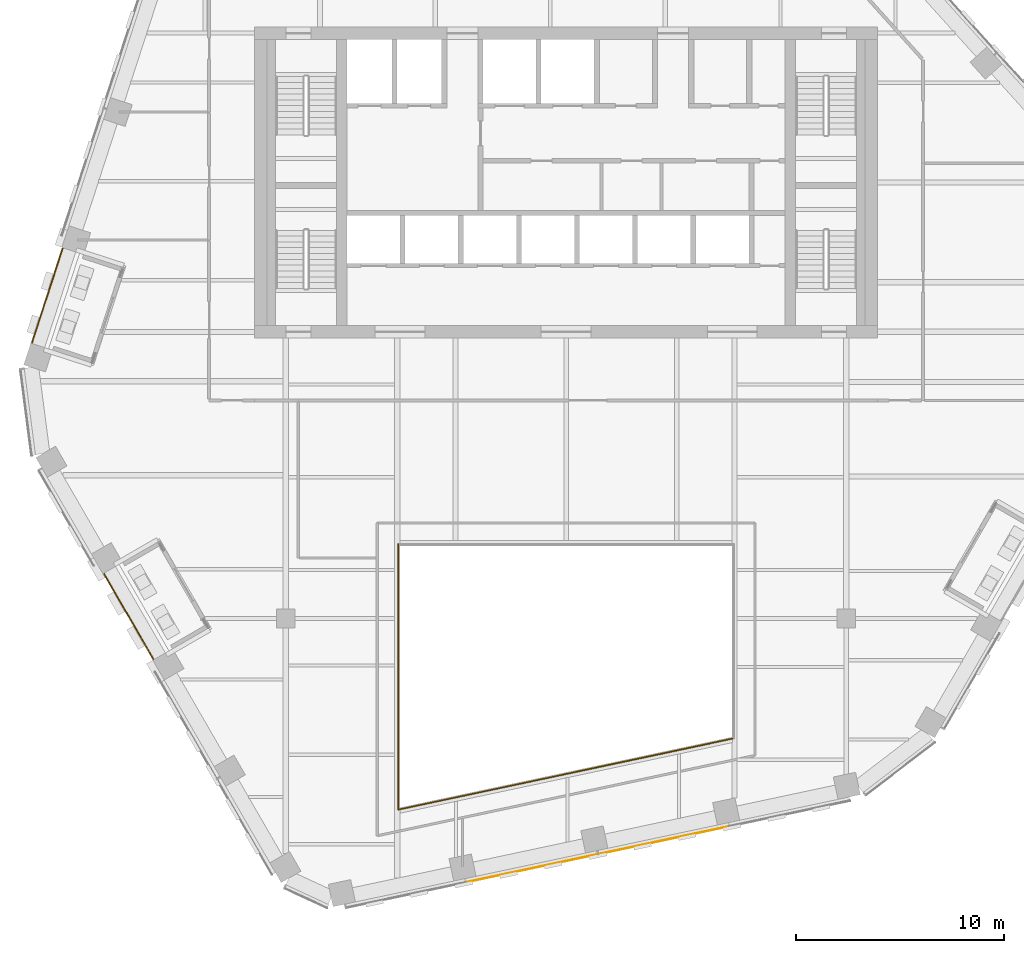
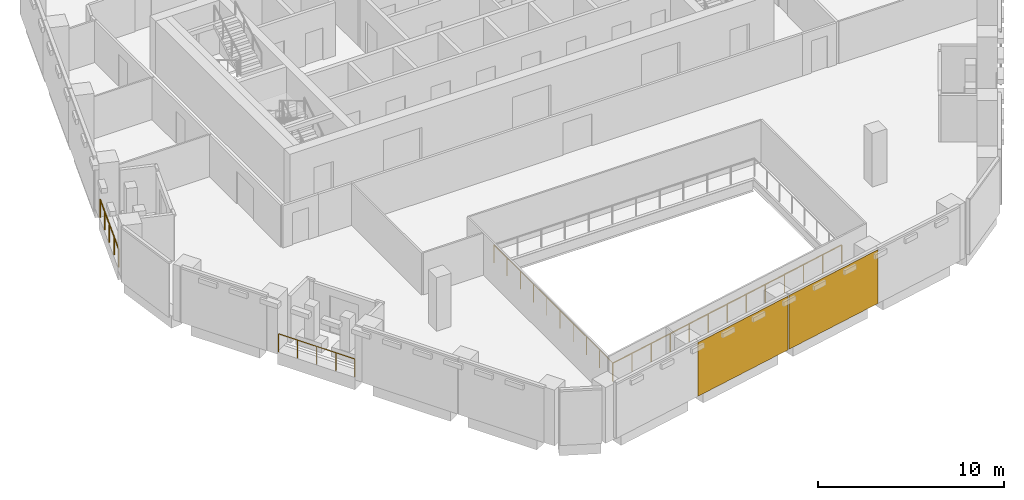
# One storey, part 19 of 24: 4 railings, 2 coverings, 1 element without a shape of its own.
"""IFC4 building model written with IfcOpenShell, lengths in metres."""

from ifc_helpers import new_model, si_unit, direction, frame, origin, origin_2d, place, context, subcontext, project, spatial, rectangle, circle, extrude, material, layer, layer_set, type_object, element, aggregate, save


model = new_model("IFC4")

# Units and contexts
model_context = context("Model", 3, precision=1e-05, world=origin(), true_north=direction((0.0, 1.0)))
body_context = subcontext(model_context, "Body", "Model", "MODEL_VIEW")
ifc_project = project(units=[si_unit("LENGTHUNIT", "METRE"), si_unit("AREAUNIT", "SQUARE_METRE"), si_unit("VOLUMEUNIT", "CUBIC_METRE"), si_unit("PLANEANGLEUNIT", "RADIAN"), si_unit("MASSUNIT", "GRAM", prefix="KILO")], contexts=[model_context])

# Site, building, storey
site_placement = place(None, origin())
site = spatial("IfcSite", under=ifc_project, at=site_placement, CompositionType="ELEMENT")
building_placement = place(site_placement, origin())
building = spatial("IfcBuilding", under=site, at=building_placement, Name="Isthmus Gate Tower", CompositionType="ELEMENT")
storey_placement = place(building_placement, frame((0.0, 0.0, 234.550048828125)))
storey = spatial("IfcBuildingStorey", under=building, at=storey_placement, Name="L59", CompositionType="ELEMENT", Elevation=234.550048828125)

# Railings
ifc_material_1 = material(Name="Laminated toughened glass balustrade with steel rail", Category="steel")
railing_type_1 = type_object("IfcRailingType", Name="ATRIUM GUARD GLASS BALUSTRADE 1200", PredefinedType="GUARDRAIL", material=ifc_material_1)
railing_1_placement = place(storey_placement, frame((-8.080078125, -22.7099609375, 0.0)))
element("IfcRailing", 1, at=railing_1_placement, inside=storey, type_object=railing_type_1, Name="L59 atrium guard", PredefinedType="GUARDRAIL", context=body_context, shape_type="SweptSolid", body=[
    extrude(circle(Radius=0.02490234375, at=origin_2d()), frame((0.0, 0.0, 1.1748046875), z_axis=(0.0, 1.0, 0.0), x_axis=(-1.0, 0.0, 0.0)), (0.0, 0.0, 1.0), 12.7900390625),
    extrude(circle(Radius=0.02490234375, at=origin_2d()), origin(), (0.0, 0.0, 1.0), 1.14990234375),
    extrude(circle(Radius=0.02490234375, at=origin_2d()), frame((0.0, 1.421142578125, 0.0)), (0.0, 0.0, 1.0), 1.14990234375),
    extrude(circle(Radius=0.02490234375, at=origin_2d()), frame((0.0, 2.84228515625, 0.0)), (0.0, 0.0, 1.0), 1.14990234375),
    extrude(circle(Radius=0.02490234375, at=origin_2d()), frame((0.0, 4.263427734375, 0.0)), (0.0, 0.0, 1.0), 1.14990234375),
    extrude(circle(Radius=0.02490234375, at=origin_2d()), frame((0.0, 5.6845703125, 0.0)), (0.0, 0.0, 1.0), 1.14990234375),
    extrude(circle(Radius=0.02490234375, at=origin_2d()), frame((0.0, 7.10546875, 0.0)), (0.0, 0.0, 1.0), 1.14990234375),
    extrude(circle(Radius=0.02490234375, at=origin_2d()), frame((0.0, 8.526611328125, 0.0)), (0.0, 0.0, 1.0), 1.14990234375),
    extrude(circle(Radius=0.02490234375, at=origin_2d()), frame((0.0, 9.94775390625, 0.0)), (0.0, 0.0, 1.0), 1.14990234375),
    extrude(circle(Radius=0.02490234375, at=origin_2d()), frame((0.0, 11.368896484375, 0.0)), (0.0, 0.0, 1.0), 1.14990234375),
    extrude(circle(Radius=0.02490234375, at=origin_2d()), frame((0.0, 12.7900390625, 0.0)), (0.0, 0.0, 1.0), 1.14990234375),
])
railing_2_placement = place(storey_placement, frame((8.080078125, -19.27490234375, 0.0)))
element("IfcRailing", 2, at=railing_2_placement, inside=storey, type_object=railing_type_1, Name="L59 atrium guard", PredefinedType="GUARDRAIL", context=body_context, shape_type="SweptSolid", body=[
    extrude(circle(Radius=0.02490234375, at=origin_2d()), frame((0.0, 0.0, 1.1748046875), z_axis=(-0.978146230105, -0.207918139013, 0.0), x_axis=(0.207918139013, -0.978146230105, 0.0)), (0.0, 0.0, 1.0), 16.521240234375),
    extrude(circle(Radius=0.02490234375, at=origin_2d()), origin(), (0.0, 0.0, 1.0), 1.14990234375),
    extrude(circle(Radius=0.02490234375, at=origin_2d()), frame((-1.3466796875, -0.2861328125, 0.0)), (0.0, 0.0, 1.0), 1.14990234375),
    extrude(circle(Radius=0.02490234375, at=origin_2d()), frame((-2.693359375, -0.572509765625, 0.0)), (0.0, 0.0, 1.0), 1.14990234375),
    extrude(circle(Radius=0.02490234375, at=origin_2d()), frame((-4.0400390625, -0.85888671875, 0.0)), (0.0, 0.0, 1.0), 1.14990234375),
    extrude(circle(Radius=0.02490234375, at=origin_2d()), frame((-5.38671875, -1.14501953125, 0.0)), (0.0, 0.0, 1.0), 1.14990234375),
    extrude(circle(Radius=0.02490234375, at=origin_2d()), frame((-6.7333984375, -1.43115234375, 0.0)), (0.0, 0.0, 1.0), 1.14990234375),
    extrude(circle(Radius=0.02490234375, at=origin_2d()), frame((-8.080078125, -1.717529296875, 0.0)), (0.0, 0.0, 1.0), 1.14990234375),
    extrude(circle(Radius=0.02490234375, at=origin_2d()), frame((-9.4267578125, -2.00390625, 0.0)), (0.0, 0.0, 1.0), 1.14990234375),
    extrude(circle(Radius=0.02490234375, at=origin_2d()), frame((-10.7734375, -2.2900390625, 0.0)), (0.0, 0.0, 1.0), 1.14990234375),
    extrude(circle(Radius=0.02490234375, at=origin_2d()), frame((-12.1201171875, -2.576171875, 0.0)), (0.0, 0.0, 1.0), 1.14990234375),
    extrude(circle(Radius=0.02490234375, at=origin_2d()), frame((-13.466796875, -2.862548828125, 0.0)), (0.0, 0.0, 1.0), 1.14990234375),
    extrude(circle(Radius=0.02490234375, at=origin_2d()), frame((-14.8134765625, -3.14892578125, 0.0)), (0.0, 0.0, 1.0), 1.14990234375),
    extrude(circle(Radius=0.02490234375, at=origin_2d()), frame((-16.16015625, -3.43505859375, 0.0)), (0.0, 0.0, 1.0), 1.14990234375),
])

# Curtain wall, coverings
ifc_material_2 = material(Name="Aluminium, pale champagne anodised", Category="aluminium")
ifc_layer_1 = layer(ifc_material_2, 0.199951171875)
ifc_layer_set_1 = layer_set([ifc_layer_1], Name="CW-1 UNITISED CURTAIN WALL 200 DEEP")
curtain_wall_type = type_object("IfcCurtainWallType", Name="CW-1 UNITISED CURTAIN WALL 200 DEEP", PredefinedType="NOTDEFINED", material=ifc_layer_set_1)
curtain_wall_placement = place(storey_placement, origin())
curtain_wall = element("IfcCurtainWall", 3, at=curtain_wall_placement, inside=storey, type_object=curtain_wall_type, Name="CW-1 S L59", PredefinedType="NOTDEFINED")
ifc_material_3 = material(Name="Aluminium composite panel, pale champagne anodised", Category="aluminium")
ifc_layer_2 = layer(ifc_material_3, 0.031982421875)
ifc_layer_set_2 = layer_set([ifc_layer_2], Name="CW-1 PALE METAL PANEL 32")
covering_type = type_object("IfcCoveringType", Name="CW-1 PALE METAL PANEL 32", PredefinedType="CLADDING", material=ifc_layer_set_2)
covering_1_placement = place(storey_placement, frame((-1.66259765625, -25.54150390625, 0.0), z_axis=(0.0, 0.0, 1.0), x_axis=(0.978147600734, 0.207911690818, 0.0)))
covering_1 = element("IfcCovering", 4, at=covering_1_placement, type_object=covering_type, Name="CW-1 pale metal panel", PredefinedType="CLADDING", context=body_context, shape_type="SweptSolid", body=[
    extrude(rectangle(XDim=6.491943359375, YDim=0.031982421875, at=origin_2d()), origin(), (0.0, 0.0, 1.0), 3.52001953125),
])
covering_2_placement = place(storey_placement, frame((4.716796875, -24.185546875, 0.0), z_axis=(0.0, 0.0, 1.0), x_axis=(0.978147600734, 0.207911690818, 0.0)))
covering_2 = element("IfcCovering", 5, at=covering_2_placement, type_object=covering_type, Name="CW-1 pale metal panel", PredefinedType="CLADDING", context=body_context, shape_type="SweptSolid", body=[
    extrude(rectangle(XDim=6.431884765625, YDim=0.031982421875, at=origin_2d()), origin(), (0.0, 0.0, 1.0), 3.52001953125),
])
aggregate(curtain_wall, [covering_1, covering_2])

# Railings
ifc_material_4 = material(Name="Toughened laminated glass with stainless steel posts", Category="steel")
railing_type_2 = type_object("IfcRailingType", Name="GUARD 1200 FRAMELESS GLASS", PredefinedType="GUARDRAIL", material=ifc_material_4)
railing_3_placement = place(storey_placement, frame((-24.25732421875, 4.31591796875, 0.0)))
element("IfcRailing", 6, at=railing_3_placement, inside=storey, type_object=railing_type_2, Name="LOGGIA GUARD", PredefinedType="GUARDRAIL", context=body_context, shape_type="SweptSolid", body=[
    extrude(circle(Radius=0.02490234375, at=origin_2d()), frame((0.0, 0.0, 1.1748046875), z_axis=(-0.309004920114, -0.951060439376, 0.0), x_axis=(0.951060439376, -0.309004920114, 0.0)), (0.0, 0.0, 1.0), 4.761962890625),
    extrude(circle(Radius=0.02490234375, at=origin_2d()), origin(), (0.0, 0.0, 1.0), 1.14990234375),
    extrude(circle(Radius=0.02490234375, at=origin_2d()), frame((-0.367919921875, -1.13232421875, 0.0)), (0.0, 0.0, 1.0), 1.14990234375),
    extrude(circle(Radius=0.02490234375, at=origin_2d()), frame((-0.73583984375, -2.264404296875, 0.0)), (0.0, 0.0, 1.0), 1.14990234375),
    extrude(circle(Radius=0.02490234375, at=origin_2d()), frame((-1.103515625, -3.396484375, 0.0)), (0.0, 0.0, 1.0), 1.14990234375),
    extrude(circle(Radius=0.02490234375, at=origin_2d()), frame((-1.471435546875, -4.52880859375, 0.0)), (0.0, 0.0, 1.0), 1.14990234375),
])
railing_4_placement = place(storey_placement, frame((-22.252685546875, -11.357421875, 0.0)))
element("IfcRailing", 7, at=railing_4_placement, inside=storey, type_object=railing_type_2, Name="LOGGIA GUARD", PredefinedType="GUARDRAIL", context=body_context, shape_type="SweptSolid", body=[
    extrude(circle(Radius=0.02490234375, at=origin_2d()), frame((0.0, 0.0, 1.1748046875), z_axis=(0.500041124825, -0.866001659053, 0.0), x_axis=(0.866001659053, 0.500041124825, 0.0)), (0.0, 0.0, 1.0), 4.73046875),
    extrude(circle(Radius=0.02490234375, at=origin_2d()), origin(), (0.0, 0.0, 1.0), 1.14990234375),
    extrude(circle(Radius=0.02490234375, at=origin_2d()), frame((0.59130859375, -1.024169921875, 0.0)), (0.0, 0.0, 1.0), 1.14990234375),
    extrude(circle(Radius=0.02490234375, at=origin_2d()), frame((1.1826171875, -2.04833984375, 0.0)), (0.0, 0.0, 1.0), 1.14990234375),
    extrude(circle(Radius=0.02490234375, at=origin_2d()), frame((1.774169921875, -3.072509765625, 0.0)), (0.0, 0.0, 1.0), 1.14990234375),
    extrude(circle(Radius=0.02490234375, at=origin_2d()), frame((2.365478515625, -4.0966796875, 0.0)), (0.0, 0.0, 1.0), 1.14990234375),
])

save(model, "model.ifc")
